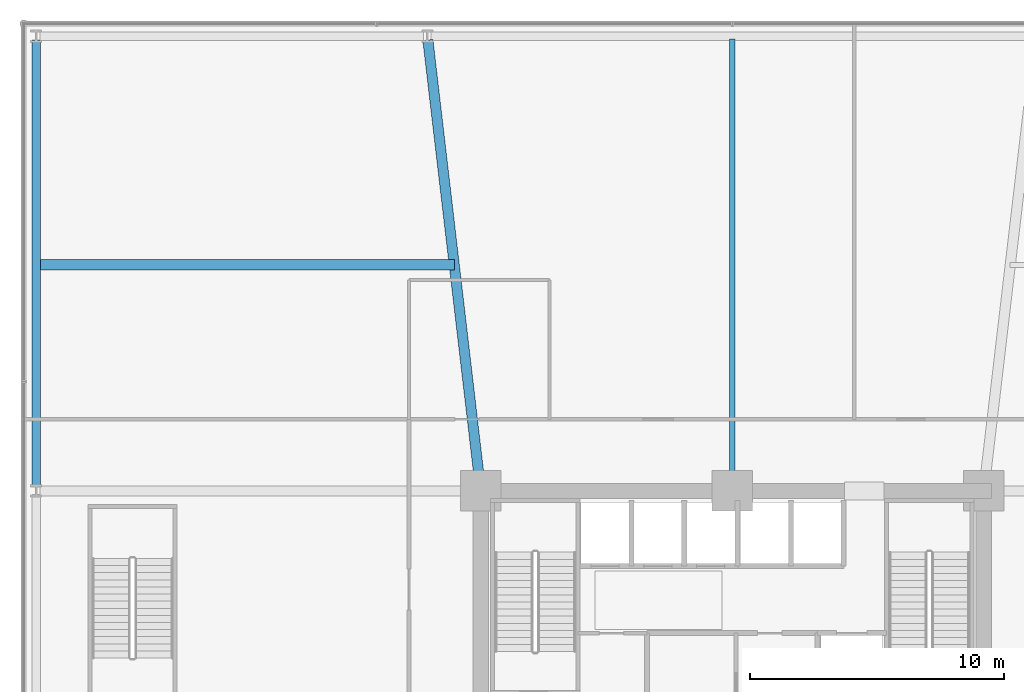
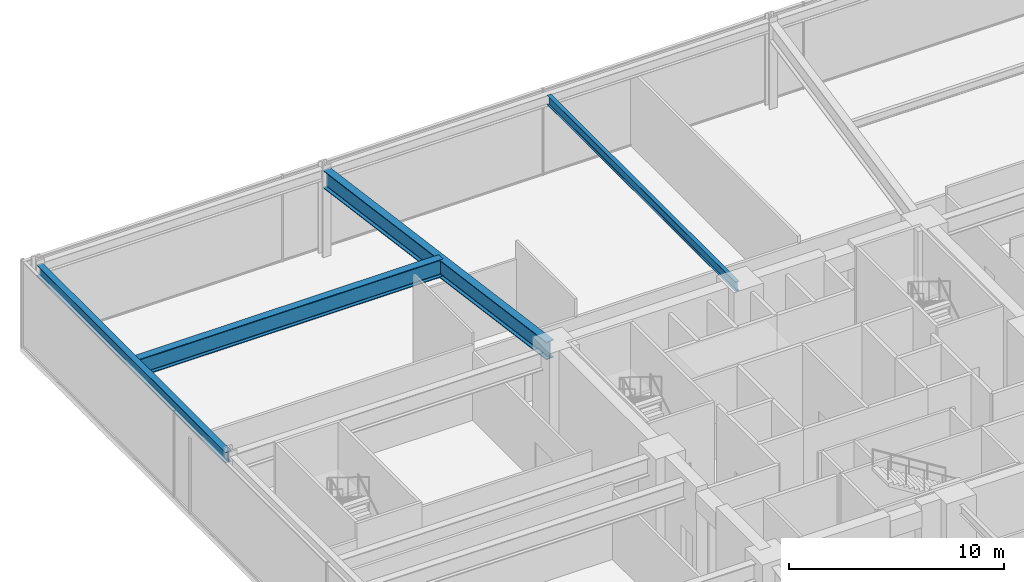
# One storey, part 29 of 49: 4 beams.
"""IFC4 building model written with IfcOpenShell, lengths in metres."""

from ifc_helpers import new_model, si_unit, direction, frame, origin, origin_2d, place, context, subcontext, project, spatial, i_section, extrude, material, material_profile, profile_set, type_object, element, save


model = new_model("IFC4")

# Units and contexts
model_context = context("Model", 3, precision=1e-05, world=origin(), true_north=direction((0.0, 1.0)))
body_context = subcontext(model_context, "Body", "Model", "MODEL_VIEW")
ifc_project = project(units=[si_unit("LENGTHUNIT", "METRE"), si_unit("AREAUNIT", "SQUARE_METRE"), si_unit("VOLUMEUNIT", "CUBIC_METRE"), si_unit("PLANEANGLEUNIT", "RADIAN"), si_unit("MASSUNIT", "GRAM", prefix="KILO")], contexts=[model_context])

# Site, building, storey
site_placement = place(None, origin())
site = spatial("IfcSite", under=ifc_project, at=site_placement, CompositionType="ELEMENT")
building_placement = place(site_placement, origin())
building = spatial("IfcBuilding", under=site, at=building_placement, Name="Kolvaren Belvedere", CompositionType="ELEMENT")
storey_placement = place(building_placement, frame((0.0, 0.0, 10.0)))
storey = spatial("IfcBuildingStorey", under=building, at=storey_placement, Name="L03", CompositionType="ELEMENT", Elevation=10.0)

# Beams
ifc_material_1 = material(Name="Structural steel ASTM A992 Grade 50", Category="steel")
ifc_material_profile_1 = material_profile(ifc_material_1, i_section(OverallWidth=0.40087890625, OverallDepth=1.010986328125, WebThickness=0.023681640625, FlangeThickness=0.0419921875, FilletRadius=0.030029296875, at=origin_2d()), Name="W40X297")
ifc_profile_set_1 = profile_set([ifc_material_profile_1], Name="Structural steel ASTM A992 Grade 50")
beam_type_1 = type_object("IfcBeamType", Name="BM-BALL-W40X297", PredefinedType="BEAM", material=ifc_profile_set_1)
beam_1_placement = place(storey_placement, frame((-9.952392578125, 10.346923828125, 4.41455078125), z_axis=(-0.116516841483, 0.993188716031, 0.0), x_axis=(-0.993188716031, -0.116516841483, 0.0)))
element("IfcBeam", 1, at=beam_1_placement, inside=storey, type_object=beam_type_1, Name="L03 North-West Radial Girder", PredefinedType="BEAM", context=body_context, shape_type="SweptSolid", body=[
    extrude(i_section(OverallWidth=0.40087890625, OverallDepth=1.010986328125, WebThickness=0.023681640625, FlangeThickness=0.0419921875, FilletRadius=0.030029296875, at=origin_2d()), origin(), (0.0, 0.0, 1.0), 17.422607421875),
])
beam_2_placement = place(storey_placement, frame((-27.280029296875, 18.800048828125, 4.41455078125), z_axis=(1.0, 0.0, 0.0), x_axis=(0.0, 1.0, 0.0)))
element("IfcBeam", 2, at=beam_2_placement, inside=storey, type_object=beam_type_1, Name="L03 West Bay Floor Beam", PredefinedType="BEAM", context=body_context, shape_type="SweptSolid", body=[
    extrude(i_section(OverallWidth=0.40087890625, OverallDepth=1.010986328125, WebThickness=0.023681640625, FlangeThickness=0.0419921875, FilletRadius=0.030029296875, at=origin_2d()), origin(), (0.0, 0.0, 1.0), 16.340087890625),
])
ifc_material_2 = material(Name="Structural steel ASTM A992 Grade 50", Category="steel")
ifc_material_profile_2 = material_profile(ifc_material_2, i_section(OverallWidth=0.2099609375, OverallDepth=0.537109375, WebThickness=0.010986328125, FlangeThickness=0.017333984375, FilletRadius=0.01611328125, at=origin_2d()), Name="W21X68")
ifc_profile_set_2 = profile_set([ifc_material_profile_2], Name="Structural steel ASTM A992 Grade 50")
beam_type_2 = type_object("IfcBeamType", Name="BM-FLR-W21X68", PredefinedType="BEAM", material=ifc_profile_set_2)
beam_3_placement = place(storey_placement, frame((0.0, 10.14990234375, 4.651611328125), z_axis=(0.0, 1.0, 0.0), x_axis=(-1.0, 0.0, 0.0)))
element("IfcBeam", 3, at=beam_3_placement, inside=storey, type_object=beam_type_2, Name="L03 North Centre Beam", PredefinedType="BEAM", context=body_context, shape_type="SweptSolid", body=[
    extrude(i_section(OverallWidth=0.2099609375, OverallDepth=0.537109375, WebThickness=0.010986328125, FlangeThickness=0.017333984375, FilletRadius=0.01611328125, at=origin_2d()), origin(), (0.0, 0.0, 1.0), 17.530029296875),
])
ifc_material_3 = material(Name="Structural steel ASTM A992 Grade 50", Category="steel")
ifc_material_profile_3 = material_profile(ifc_material_3, i_section(OverallWidth=0.324951171875, OverallDepth=0.615966796875, WebThickness=0.013916015625, FlangeThickness=0.021484375, FilletRadius=0.02001953125, at=origin_2d()), Name="W24X117")
ifc_profile_set_3 = profile_set([ifc_material_profile_3], Name="Structural steel ASTM A992 Grade 50")
beam_type_3 = type_object("IfcBeamType", Name="BM-SPAN-W24X117", PredefinedType="SPANDREL", material=ifc_profile_set_3)
beam_4_placement = place(storey_placement, frame((-27.39990234375, 10.050048828125, 4.612060546875), z_axis=(0.0, 1.0, 0.0), x_axis=(-1.0, 0.0, 0.0)))
element("IfcBeam", 4, at=beam_4_placement, inside=storey, type_object=beam_type_3, Name="L03 W Podium Spandrel 3", PredefinedType="SPANDREL", context=body_context, shape_type="SweptSolid", body=[
    extrude(i_section(OverallWidth=0.324951171875, OverallDepth=0.615966796875, WebThickness=0.013916015625, FlangeThickness=0.021484375, FilletRadius=0.02001953125, at=origin_2d()), origin(), (0.0, 0.0, 1.0), 17.599853515625),
])

save(model, "model.ifc")
